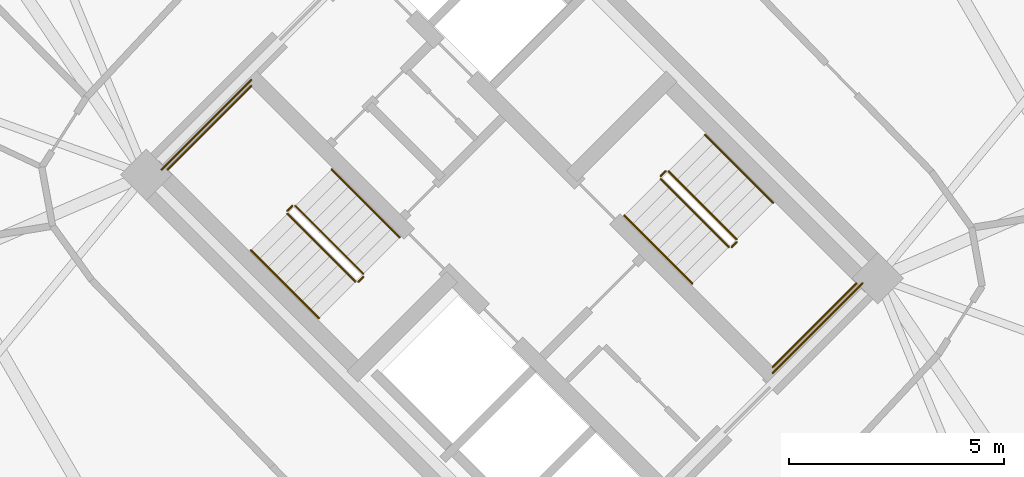
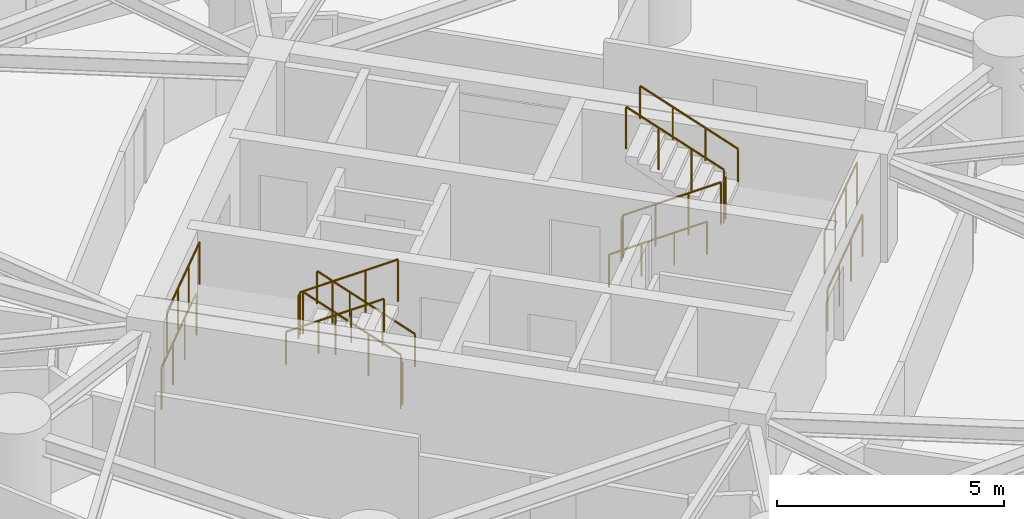
# One storey, part 16 of 16: 16 railings.
"""IFC4 building model written with IfcOpenShell, lengths in metres."""

from ifc_helpers import new_model, si_unit, direction, frame, origin, origin_2d, place, context, subcontext, project, spatial, circle, extrude, material, type_object, element, save


model = new_model("IFC4")

# Units and contexts
model_context = context("Model", 3, precision=1e-05, world=origin(), true_north=direction((0.0, 1.0)))
body_context = subcontext(model_context, "Body", "Model", "MODEL_VIEW")
ifc_project = project(units=[si_unit("LENGTHUNIT", "METRE"), si_unit("AREAUNIT", "SQUARE_METRE"), si_unit("VOLUMEUNIT", "CUBIC_METRE"), si_unit("PLANEANGLEUNIT", "RADIAN"), si_unit("MASSUNIT", "GRAM", prefix="KILO")], contexts=[model_context])

# Site, building, storey
site_placement = place(None, origin())
site = spatial("IfcSite", under=ifc_project, at=site_placement, CompositionType="ELEMENT")
building_placement = place(site_placement, origin())
building = spatial("IfcBuilding", under=site, at=building_placement, Name="Cununo Teusaquillo Station Towers", CompositionType="ELEMENT")
storey_placement = place(building_placement, frame((0.0, 0.0, 62.739990234375)))
storey = spatial("IfcBuildingStorey", under=building, at=storey_placement, Name="L19", CompositionType="ELEMENT", Elevation=62.739990234375)

# Railings
ifc_material_1 = material(Name="Steel EN 10025-2 S355J2", Category="steel")
railing_type_1 = type_object("IfcRailingType", Name="RL-INT-GUARD", PredefinedType="GUARDRAIL", material=ifc_material_1)
railing_1_placement = place(storey_placement, frame((54.03515625, 23.39697265625, 0.16162109375)))
element("IfcRailing", 1, at=railing_1_placement, inside=storey, type_object=railing_type_1, Name="L19 ST-T2-1 stair guard 1", PredefinedType="GUARDRAIL", context=body_context, shape_type="SweptSolid", body=[
    extrude(circle(Radius=0.02392578125, at=origin_2d()), frame((0.0, 0.0, 1.1259765625), z_axis=(-0.612332353853, 0.612332353853, 0.500098167213), x_axis=(-0.707106781187, -0.707106781187, 0.0)), (0.0, 0.0, 1.0), 2.58642578125),
    extrude(circle(Radius=0.02099609375, at=origin_2d()), origin(), (0.0, 0.0, 1.0), 1.101806640625),
    extrude(circle(Radius=0.02099609375, at=origin_2d()), frame((-0.52783203125, 0.52783203125, 0.43115234375)), (0.0, 0.0, 1.0), 1.101806640625),
    extrude(circle(Radius=0.02099609375, at=origin_2d()), frame((-1.055908203125, 1.055908203125, 0.8623046875)), (0.0, 0.0, 1.0), 1.101806640625),
    extrude(circle(Radius=0.02099609375, at=origin_2d()), frame((-1.583740234375, 1.583740234375, 1.29345703125)), (0.0, 0.0, 1.0), 1.101806640625),
])
railing_2_placement = place(storey_placement, frame((52.380615234375, 24.980712890625, 1.455078125)))
element("IfcRailing", 2, at=railing_2_placement, inside=storey, type_object=railing_type_1, Name="L19 ST-T2-1 stair guard 2", PredefinedType="GUARDRAIL", context=body_context, shape_type="SweptSolid", body=[
    extrude(circle(Radius=0.02392578125, at=origin_2d()), frame((0.0, 0.0, 1.1259765625), z_axis=(-0.7078691598, -0.706343579714, 0.0), x_axis=(0.706343579714, -0.7078691598, 0.0)), (0.0, 0.0, 1.0), 0.159912109375),
    extrude(circle(Radius=0.02099609375, at=origin_2d()), origin(), (0.0, 0.0, 1.0), 1.101806640625),
    extrude(circle(Radius=0.02099609375, at=origin_2d()), frame((-0.11328125, -0.113037109375, 0.0)), (0.0, 0.0, 1.0), 1.101806640625),
])
railing_3_placement = place(storey_placement, frame((51.426025390625, 27.77392578125, 1.455078125)))
element("IfcRailing", 3, at=railing_3_placement, inside=storey, type_object=railing_type_1, Name="L19 ST-T2-1 stair guard 3", PredefinedType="GUARDRAIL", context=body_context, shape_type="SweptSolid", body=[
    extrude(circle(Radius=0.02392578125, at=origin_2d()), frame((0.0, 0.0, 1.1259765625), z_axis=(-0.707106781187, -0.707106781187, 0.0), x_axis=(0.707106781187, -0.707106781187, 0.0)), (0.0, 0.0, 1.0), 2.760009765625),
    extrude(circle(Radius=0.02099609375, at=origin_2d()), origin(), (0.0, 0.0, 1.0), 1.101806640625),
    extrude(circle(Radius=0.02099609375, at=origin_2d()), frame((-0.650634765625, -0.650634765625, 0.0)), (0.0, 0.0, 1.0), 1.101806640625),
    extrude(circle(Radius=0.02099609375, at=origin_2d()), frame((-1.301025390625, -1.301025390625, 0.0)), (0.0, 0.0, 1.0), 1.101806640625),
    extrude(circle(Radius=0.02099609375, at=origin_2d()), frame((-1.95166015625, -1.95166015625, 0.0)), (0.0, 0.0, 1.0), 1.101806640625),
])
railing_4_placement = place(storey_placement, frame((52.267333984375, 24.796875, 1.61669921875)))
element("IfcRailing", 4, at=railing_4_placement, inside=storey, type_object=railing_type_1, Name="L19 ST-T2-1 stair guard 4", PredefinedType="GUARDRAIL", context=body_context, shape_type="SweptSolid", body=[
    extrude(circle(Radius=0.02392578125, at=origin_2d()), frame((0.0, 0.0, 1.1259765625), z_axis=(0.612420254088, -0.612325861324, 0.499998471934), x_axis=(0.707052281454, 0.707161276719, 0.0)), (0.0, 0.0, 1.0), 2.58642578125),
    extrude(circle(Radius=0.02099609375, at=origin_2d()), origin(), (0.0, 0.0, 1.0), 1.101806640625),
    extrude(circle(Radius=0.02099609375, at=origin_2d()), frame((0.528076171875, -0.52783203125, 0.43115234375)), (0.0, 0.0, 1.0), 1.101806640625),
    extrude(circle(Radius=0.02099609375, at=origin_2d()), frame((1.055908203125, -1.055908203125, 0.862060546875)), (0.0, 0.0, 1.0), 1.101806640625),
    extrude(circle(Radius=0.02099609375, at=origin_2d()), frame((1.583984375, -1.583740234375, 1.293212890625)), (0.0, 0.0, 1.0), 1.101806640625),
])
railing_5_placement = place(storey_placement, frame((54.03515625, 23.326171875, 0.0)))
element("IfcRailing", 5, at=railing_5_placement, inside=storey, type_object=railing_type_1, Name="L19 ST-T2-1 stair guard 5", PredefinedType="GUARDRAIL", context=body_context, shape_type="SweptSolid", body=[
    extrude(circle(Radius=0.02392578125, at=origin_2d()), frame((0.0, 0.0, 1.1259765625), z_axis=(-0.707106781187, -0.707106781187, 0.0), x_axis=(0.707106781187, -0.707106781187, 0.0)), (0.0, 0.0, 1.0), 0.159912109375),
    extrude(circle(Radius=0.02099609375, at=origin_2d()), origin(), (0.0, 0.0, 1.0), 1.101806640625),
    extrude(circle(Radius=0.02099609375, at=origin_2d()), frame((-0.113037109375, -0.113037109375, 0.0)), (0.0, 0.0, 1.0), 1.101806640625),
])
railing_6_placement = place(storey_placement, frame((51.426025390625, 27.915283203125, 0.0)))
element("IfcRailing", 6, at=railing_6_placement, inside=storey, type_object=railing_type_1, Name="L19 ST-T2-1 stair guard 6", PredefinedType="GUARDRAIL", context=body_context, shape_type="SweptSolid", body=[
    extrude(circle(Radius=0.02392578125, at=origin_2d()), frame((0.0, 0.0, 1.1259765625), z_axis=(-0.707106781187, -0.707106781187, 0.0), x_axis=(0.707106781187, -0.707106781187, 0.0)), (0.0, 0.0, 1.0), 2.9599609375),
    extrude(circle(Radius=0.02099609375, at=origin_2d()), origin(), (0.0, 0.0, 1.0), 1.101806640625),
    extrude(circle(Radius=0.02099609375, at=origin_2d()), frame((-0.69775390625, -0.69775390625, 0.0)), (0.0, 0.0, 1.0), 1.101806640625),
    extrude(circle(Radius=0.02099609375, at=origin_2d()), frame((-1.395263671875, -1.395263671875, 0.0)), (0.0, 0.0, 1.0), 1.101806640625),
    extrude(circle(Radius=0.02099609375, at=origin_2d()), frame((-2.093017578125, -2.093017578125, 0.0)), (0.0, 0.0, 1.0), 1.101806640625),
])
railing_7_placement = place(storey_placement, frame((60.96484375, 25.60302734375, 0.16162109375)))
element("IfcRailing", 7, at=railing_7_placement, inside=storey, type_object=railing_type_1, Name="L19 ST-T2-2 stair guard 1", PredefinedType="GUARDRAIL", context=body_context, shape_type="SweptSolid", body=[
    extrude(circle(Radius=0.02392578125, at=origin_2d()), frame((0.0, 0.0, 1.1259765625), z_axis=(0.612332353853, -0.612332353853, 0.500098167213), x_axis=(0.707106781187, 0.707106781187, 0.0)), (0.0, 0.0, 1.0), 2.58642578125),
    extrude(circle(Radius=0.02099609375, at=origin_2d()), origin(), (0.0, 0.0, 1.0), 1.101806640625),
    extrude(circle(Radius=0.02099609375, at=origin_2d()), frame((0.52783203125, -0.52783203125, 0.43115234375)), (0.0, 0.0, 1.0), 1.101806640625),
    extrude(circle(Radius=0.02099609375, at=origin_2d()), frame((1.055908203125, -1.055908203125, 0.8623046875)), (0.0, 0.0, 1.0), 1.101806640625),
    extrude(circle(Radius=0.02099609375, at=origin_2d()), frame((1.583740234375, -1.583740234375, 1.29345703125)), (0.0, 0.0, 1.0), 1.101806640625),
])
railing_8_placement = place(storey_placement, frame((62.619384765625, 24.019287109375, 1.455078125)))
element("IfcRailing", 8, at=railing_8_placement, inside=storey, type_object=railing_type_1, Name="L19 ST-T2-2 stair guard 2", PredefinedType="GUARDRAIL", context=body_context, shape_type="SweptSolid", body=[
    extrude(circle(Radius=0.02392578125, at=origin_2d()), frame((0.0, 0.0, 1.1259765625), z_axis=(0.7078691598, 0.706343579714, 0.0), x_axis=(-0.706343579714, 0.7078691598, 0.0)), (0.0, 0.0, 1.0), 0.159912109375),
    extrude(circle(Radius=0.02099609375, at=origin_2d()), origin(), (0.0, 0.0, 1.0), 1.101806640625),
    extrude(circle(Radius=0.02099609375, at=origin_2d()), frame((0.11328125, 0.113037109375, 0.0)), (0.0, 0.0, 1.0), 1.101806640625),
])
railing_9_placement = place(storey_placement, frame((63.573974609375, 21.22607421875, 1.455078125)))
element("IfcRailing", 9, at=railing_9_placement, inside=storey, type_object=railing_type_1, Name="L19 ST-T2-2 stair guard 3", PredefinedType="GUARDRAIL", context=body_context, shape_type="SweptSolid", body=[
    extrude(circle(Radius=0.02392578125, at=origin_2d()), frame((0.0, 0.0, 1.1259765625), z_axis=(0.707106781187, 0.707106781187, 0.0), x_axis=(-0.707106781187, 0.707106781187, 0.0)), (0.0, 0.0, 1.0), 2.760009765625),
    extrude(circle(Radius=0.02099609375, at=origin_2d()), origin(), (0.0, 0.0, 1.0), 1.101806640625),
    extrude(circle(Radius=0.02099609375, at=origin_2d()), frame((0.650634765625, 0.650634765625, 0.0)), (0.0, 0.0, 1.0), 1.101806640625),
    extrude(circle(Radius=0.02099609375, at=origin_2d()), frame((1.301025390625, 1.301025390625, 0.0)), (0.0, 0.0, 1.0), 1.101806640625),
    extrude(circle(Radius=0.02099609375, at=origin_2d()), frame((1.95166015625, 1.95166015625, 0.0)), (0.0, 0.0, 1.0), 1.101806640625),
])
railing_10_placement = place(storey_placement, frame((62.732666015625, 24.203125, 1.61669921875)))
element("IfcRailing", 10, at=railing_10_placement, inside=storey, type_object=railing_type_1, Name="L19 ST-T2-2 stair guard 4", PredefinedType="GUARDRAIL", context=body_context, shape_type="SweptSolid", body=[
    extrude(circle(Radius=0.02392578125, at=origin_2d()), frame((0.0, 0.0, 1.1259765625), z_axis=(-0.612420254088, 0.612325861324, 0.499998471934), x_axis=(-0.707052281454, -0.707161276719, 0.0)), (0.0, 0.0, 1.0), 2.58642578125),
    extrude(circle(Radius=0.02099609375, at=origin_2d()), origin(), (0.0, 0.0, 1.0), 1.101806640625),
    extrude(circle(Radius=0.02099609375, at=origin_2d()), frame((-0.528076171875, 0.52783203125, 0.43115234375)), (0.0, 0.0, 1.0), 1.101806640625),
    extrude(circle(Radius=0.02099609375, at=origin_2d()), frame((-1.055908203125, 1.055908203125, 0.862060546875)), (0.0, 0.0, 1.0), 1.101806640625),
    extrude(circle(Radius=0.02099609375, at=origin_2d()), frame((-1.583984375, 1.583740234375, 1.293212890625)), (0.0, 0.0, 1.0), 1.101806640625),
])
railing_11_placement = place(storey_placement, frame((60.96484375, 25.673828125, 0.0)))
element("IfcRailing", 11, at=railing_11_placement, inside=storey, type_object=railing_type_1, Name="L19 ST-T2-2 stair guard 5", PredefinedType="GUARDRAIL", context=body_context, shape_type="SweptSolid", body=[
    extrude(circle(Radius=0.02392578125, at=origin_2d()), frame((0.0, 0.0, 1.1259765625), z_axis=(0.707106781187, 0.707106781187, 0.0), x_axis=(-0.707106781187, 0.707106781187, 0.0)), (0.0, 0.0, 1.0), 0.159912109375),
    extrude(circle(Radius=0.02099609375, at=origin_2d()), origin(), (0.0, 0.0, 1.0), 1.101806640625),
    extrude(circle(Radius=0.02099609375, at=origin_2d()), frame((0.113037109375, 0.113037109375, 0.0)), (0.0, 0.0, 1.0), 1.101806640625),
])
railing_12_placement = place(storey_placement, frame((63.573974609375, 21.084716796875, 0.0)))
element("IfcRailing", 12, at=railing_12_placement, inside=storey, type_object=railing_type_1, Name="L19 ST-T2-2 stair guard 6", PredefinedType="GUARDRAIL", context=body_context, shape_type="SweptSolid", body=[
    extrude(circle(Radius=0.02392578125, at=origin_2d()), frame((0.0, 0.0, 1.1259765625), z_axis=(0.707106781187, 0.707106781187, 0.0), x_axis=(-0.707106781187, 0.707106781187, 0.0)), (0.0, 0.0, 1.0), 2.9599609375),
    extrude(circle(Radius=0.02099609375, at=origin_2d()), origin(), (0.0, 0.0, 1.0), 1.101806640625),
    extrude(circle(Radius=0.02099609375, at=origin_2d()), frame((0.69775390625, 0.69775390625, 0.0)), (0.0, 0.0, 1.0), 1.101806640625),
    extrude(circle(Radius=0.02099609375, at=origin_2d()), frame((1.395263671875, 1.395263671875, 0.0)), (0.0, 0.0, 1.0), 1.101806640625),
    extrude(circle(Radius=0.02099609375, at=origin_2d()), frame((2.093017578125, 2.093017578125, 0.0)), (0.0, 0.0, 1.0), 1.101806640625),
])
ifc_material_2 = material(Name="Steel EN 10025-2 S355J2", Category="steel")
railing_type_2 = type_object("IfcRailingType", Name="RL-INT-HRAIL", PredefinedType="HANDRAIL", material=ifc_material_2)
railing_13_placement = place(storey_placement, frame((54.8837890625, 24.245361328125, 0.16162109375)))
element("IfcRailing", 13, at=railing_13_placement, inside=storey, type_object=railing_type_2, Name="L19 ST-T2-1 stair handrail 1", PredefinedType="HANDRAIL", context=body_context, shape_type="SweptSolid", body=[
    extrude(circle(Radius=0.02392578125, at=origin_2d()), frame((0.0, 0.0, 0.8759765625), z_axis=(-0.612355957468, 0.612355957468, 0.500040361077), x_axis=(-0.707106781187, -0.707106781187, 0.0)), (0.0, 0.0, 1.0), 2.586669921875),
    extrude(circle(Radius=0.02099609375, at=origin_2d()), origin(), (0.0, 0.0, 1.0), 0.851806640625),
    extrude(circle(Radius=0.02099609375, at=origin_2d()), frame((-0.528076171875, 0.528076171875, 0.43115234375)), (0.0, 0.0, 1.0), 0.851806640625),
    extrude(circle(Radius=0.02099609375, at=origin_2d()), frame((-1.055908203125, 1.055908203125, 0.8623046875)), (0.0, 0.0, 1.0), 0.851806640625),
    extrude(circle(Radius=0.02099609375, at=origin_2d()), frame((-1.583984375, 1.583984375, 1.29345703125)), (0.0, 0.0, 1.0), 0.851806640625),
])
railing_14_placement = place(storey_placement, frame((51.4189453125, 23.948486328125, 1.61669921875)))
element("IfcRailing", 14, at=railing_14_placement, inside=storey, type_object=railing_type_2, Name="L19 ST-T2-1 stair handrail 2", PredefinedType="HANDRAIL", context=body_context, shape_type="SweptSolid", body=[
    extrude(circle(Radius=0.02392578125, at=origin_2d()), frame((0.0, 0.0, 0.8759765625), z_axis=(0.612384857071, -0.612384857071, 0.499969572735), x_axis=(0.707106781187, 0.707106781187, 0.0)), (0.0, 0.0, 1.0), 2.586669921875),
    extrude(circle(Radius=0.02099609375, at=origin_2d()), origin(), (0.0, 0.0, 1.0), 0.851806640625),
    extrude(circle(Radius=0.02099609375, at=origin_2d()), frame((0.528076171875, -0.528076171875, 0.43115234375)), (0.0, 0.0, 1.0), 0.851806640625),
    extrude(circle(Radius=0.02099609375, at=origin_2d()), frame((1.055908203125, -1.055908203125, 0.862060546875)), (0.0, 0.0, 1.0), 0.851806640625),
    extrude(circle(Radius=0.02099609375, at=origin_2d()), frame((1.583984375, -1.583984375, 1.293212890625)), (0.0, 0.0, 1.0), 0.851806640625),
])
railing_15_placement = place(storey_placement, frame((60.1162109375, 24.754638671875, 0.16162109375)))
element("IfcRailing", 15, at=railing_15_placement, inside=storey, type_object=railing_type_2, Name="L19 ST-T2-2 stair handrail 1", PredefinedType="HANDRAIL", context=body_context, shape_type="SweptSolid", body=[
    extrude(circle(Radius=0.02392578125, at=origin_2d()), frame((0.0, 0.0, 0.8759765625), z_axis=(0.612355957468, -0.612355957468, 0.500040361077), x_axis=(0.707106781187, 0.707106781187, 0.0)), (0.0, 0.0, 1.0), 2.586669921875),
    extrude(circle(Radius=0.02099609375, at=origin_2d()), origin(), (0.0, 0.0, 1.0), 0.851806640625),
    extrude(circle(Radius=0.02099609375, at=origin_2d()), frame((0.528076171875, -0.528076171875, 0.43115234375)), (0.0, 0.0, 1.0), 0.851806640625),
    extrude(circle(Radius=0.02099609375, at=origin_2d()), frame((1.055908203125, -1.055908203125, 0.8623046875)), (0.0, 0.0, 1.0), 0.851806640625),
    extrude(circle(Radius=0.02099609375, at=origin_2d()), frame((1.583984375, -1.583984375, 1.29345703125)), (0.0, 0.0, 1.0), 0.851806640625),
])
railing_16_placement = place(storey_placement, frame((63.5810546875, 25.051513671875, 1.61669921875)))
element("IfcRailing", 16, at=railing_16_placement, inside=storey, type_object=railing_type_2, Name="L19 ST-T2-2 stair handrail 2", PredefinedType="HANDRAIL", context=body_context, shape_type="SweptSolid", body=[
    extrude(circle(Radius=0.02392578125, at=origin_2d()), frame((0.0, 0.0, 0.8759765625), z_axis=(-0.612384857071, 0.612384857071, 0.499969572735), x_axis=(-0.707106781187, -0.707106781187, 0.0)), (0.0, 0.0, 1.0), 2.586669921875),
    extrude(circle(Radius=0.02099609375, at=origin_2d()), origin(), (0.0, 0.0, 1.0), 0.851806640625),
    extrude(circle(Radius=0.02099609375, at=origin_2d()), frame((-0.528076171875, 0.528076171875, 0.43115234375)), (0.0, 0.0, 1.0), 0.851806640625),
    extrude(circle(Radius=0.02099609375, at=origin_2d()), frame((-1.055908203125, 1.055908203125, 0.862060546875)), (0.0, 0.0, 1.0), 0.851806640625),
    extrude(circle(Radius=0.02099609375, at=origin_2d()), frame((-1.583984375, 1.583984375, 1.293212890625)), (0.0, 0.0, 1.0), 0.851806640625),
])

save(model, "model.ifc")
